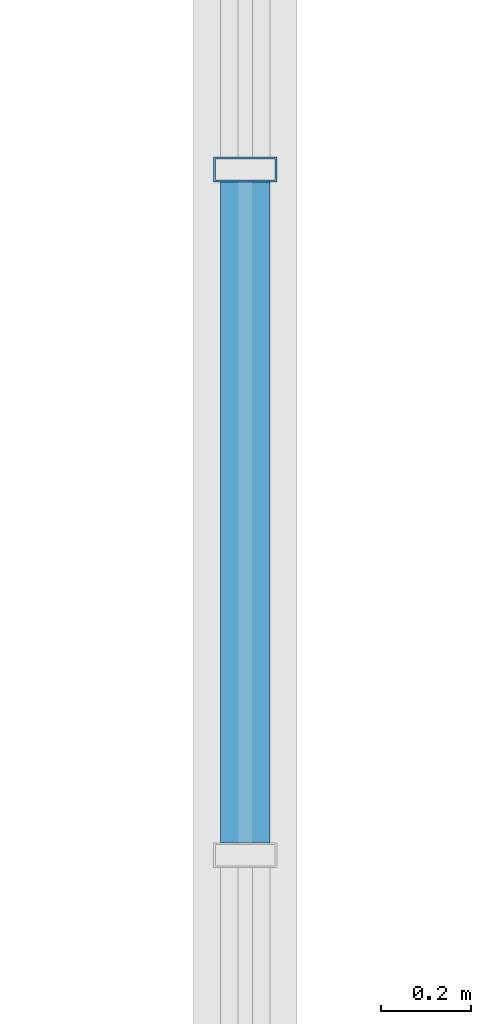
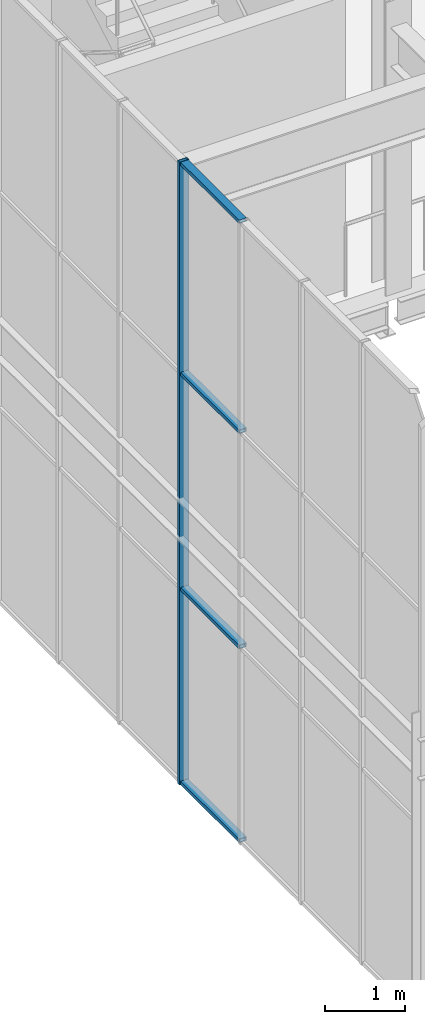
# One storey, part 67 of 324: 5 members, 1 element without a shape of its own.
"""IFC4 building model written with IfcOpenShell, lengths in metres."""

from ifc_helpers import new_model, si_unit, direction, frame, origin, origin_2d, place, context, subcontext, project, spatial, hollow_rectangle, extrude, material, layer, layer_set, material_profile, profile_set, type_object, element, aggregate, save


model = new_model("IFC4")

# Units and contexts
model_context = context("Model", 3, precision=1e-05, world=origin(), true_north=direction((0.0, 1.0)))
body_context = subcontext(model_context, "Body", "Model", "MODEL_VIEW")
ifc_project = project(units=[si_unit("LENGTHUNIT", "METRE"), si_unit("AREAUNIT", "SQUARE_METRE"), si_unit("VOLUMEUNIT", "CUBIC_METRE"), si_unit("PLANEANGLEUNIT", "RADIAN"), si_unit("MASSUNIT", "GRAM", prefix="KILO")], contexts=[model_context])

# Site, building, storey
site_placement = place(None, origin())
site = spatial("IfcSite", under=ifc_project, at=site_placement, CompositionType="ELEMENT")
building_placement = place(site_placement, origin())
building = spatial("IfcBuilding", under=site, at=building_placement, Name="Solvenia Promenade Tram Depot", CompositionType="ELEMENT")
storey_placement = place(building_placement, frame((0.0, 0.0, 4.5)))
storey = spatial("IfcBuildingStorey", under=building, at=storey_placement, Name="L01", CompositionType="ELEMENT", Elevation=4.5)

# Curtain wall, members
ifc_material = material(Name="Anodized aluminium AW-6063 T6", Category="aluminium")
ifc_layer = layer(ifc_material, 0.080078125, Name="Anodized aluminium AW-6063 T6", Category="aluminium")
ifc_layer_set = layer_set([ifc_layer], Name="Anodized aluminium AW-6063 T6")
curtain_wall_type = type_object("IfcCurtainWallType", Name="CW-Clerest-1500", PredefinedType="NOTDEFINED", material=ifc_layer_set)
curtain_wall_placement = place(storey_placement, origin())
curtain_wall = element("IfcCurtainWall", 1, at=curtain_wall_placement, inside=storey, type_object=curtain_wall_type, Name="Curtain Wall CW-V2W-CRANE-L1", PredefinedType="NOTDEFINED")
ifc_material_profile_1 = material_profile(ifc_material, hollow_rectangle(XDim=0.139892578125, YDim=0.054931640625, WallThickness=0.00390625, at=origin_2d()), Name="ALU-M4", Category="aluminium")
ifc_profile_set_1 = profile_set([ifc_material_profile_1], Name="Anodized aluminium AW-6063 T6")
member_type_1 = type_object("IfcMemberType", Name="CWM-Mullion-4", PredefinedType="MULLION", material=ifc_profile_set_1)
member_1_placement = place(storey_placement, frame((105.0, 30.23876953125, -0.300048828125), z_axis=(0.0, 0.0, 1.0), x_axis=(-1.0, 0.0, 0.0)))
member_1 = element("IfcMember", 2, at=member_1_placement, type_object=member_type_1, Name="CW-4 mullion 5", PredefinedType="MULLION", context=body_context, shape_type="SweptSolid", body=[
    extrude(hollow_rectangle(XDim=0.139892578125, YDim=0.054931640625, WallThickness=0.00390625, at=origin_2d()), origin(), (0.0, 0.0, 1.0), 9.550048828125),
])
ifc_material_profile_2 = material_profile(ifc_material, hollow_rectangle(XDim=0.110107421875, YDim=0.054931640625, WallThickness=0.00390625, at=origin_2d()), Name="ALU-T4", Category="aluminium")
ifc_profile_set_2 = profile_set([ifc_material_profile_2], Name="Anodized aluminium AW-6063 T6")
member_type_2 = type_object("IfcMemberType", Name="CWT-Transom-4", PredefinedType="USERDEFINED", material=ifc_profile_set_2)
member_2_placement = place(storey_placement, frame((105.0, 28.744140625, -0.2724609375), z_axis=(0.0, 1.0, 0.0), x_axis=(-1.0, 0.0, 0.0)))
member_2 = element("IfcMember", 3, at=member_2_placement, type_object=member_type_2, Name="CW-4 transom 4.1", ObjectType="TRANSOM", PredefinedType="USERDEFINED", context=body_context, shape_type="SweptSolid", body=[
    extrude(hollow_rectangle(XDim=0.110107421875, YDim=0.054931640625, WallThickness=0.00390625, at=origin_2d()), origin(), (0.0, 0.0, 1.0), 1.46728515625),
])
member_3_placement = place(storey_placement, frame((105.0, 28.744140625, 2.699951171875), z_axis=(0.0, 1.0, 0.0), x_axis=(-1.0, 0.0, 0.0)))
member_3 = element("IfcMember", 4, at=member_3_placement, type_object=member_type_2, Name="CW-4 transom 4.2", ObjectType="TRANSOM", PredefinedType="USERDEFINED", context=body_context, shape_type="SweptSolid", body=[
    extrude(hollow_rectangle(XDim=0.110107421875, YDim=0.054931640625, WallThickness=0.00390625, at=origin_2d()), origin(), (0.0, 0.0, 1.0), 1.46728515625),
])
member_4_placement = place(storey_placement, frame((105.0, 28.744140625, 6.0), z_axis=(0.0, 1.0, 0.0), x_axis=(-1.0, 0.0, 0.0)))
member_4 = element("IfcMember", 5, at=member_4_placement, type_object=member_type_2, Name="CW-4 transom 4.3", ObjectType="TRANSOM", PredefinedType="USERDEFINED", context=body_context, shape_type="SweptSolid", body=[
    extrude(hollow_rectangle(XDim=0.110107421875, YDim=0.054931640625, WallThickness=0.00390625, at=origin_2d()), origin(), (0.0, 0.0, 1.0), 1.46728515625),
])
member_5_placement = place(storey_placement, frame((105.0, 28.744140625, 9.222412109375), z_axis=(0.0, 1.0, 0.0), x_axis=(-1.0, 0.0, 0.0)))
member_5 = element("IfcMember", 6, at=member_5_placement, type_object=member_type_2, Name="CW-4 transom 4.4", ObjectType="TRANSOM", PredefinedType="USERDEFINED", context=body_context, shape_type="SweptSolid", body=[
    extrude(hollow_rectangle(XDim=0.110107421875, YDim=0.054931640625, WallThickness=0.00390625, at=origin_2d()), origin(), (0.0, 0.0, 1.0), 1.46728515625),
])
aggregate(curtain_wall, [member_1, member_2, member_3, member_4, member_5])

save(model, "model.ifc")
